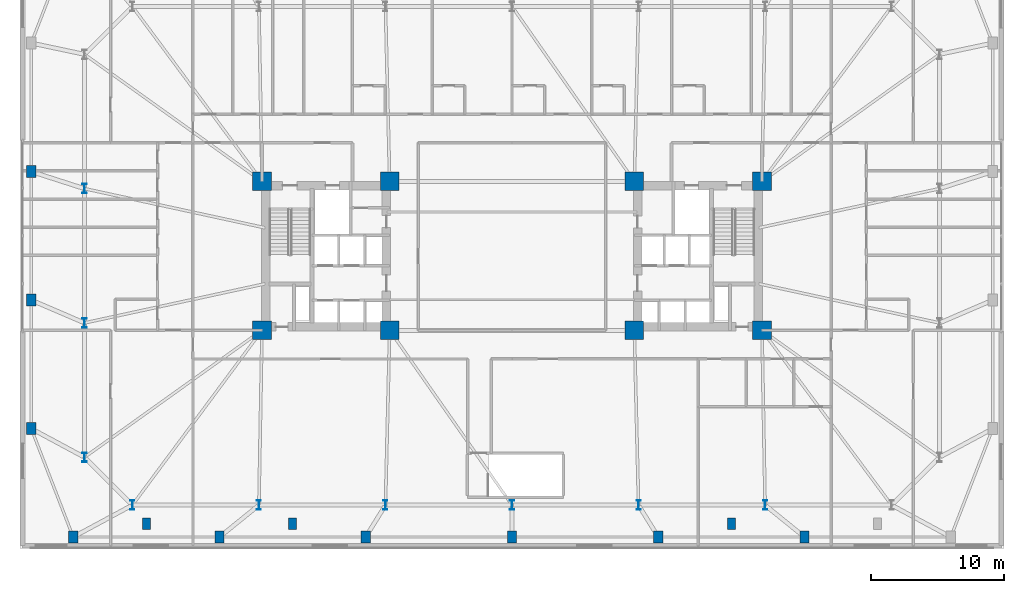
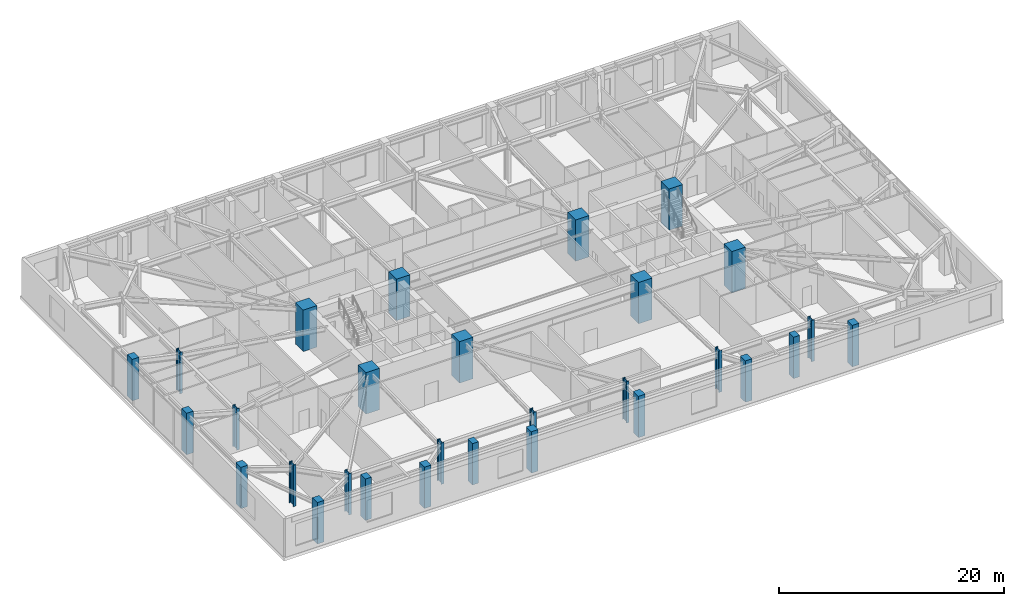
# One storey, part 1 of 21: 29 columns.
"""IFC4 building model written with IfcOpenShell, lengths in metres."""

from ifc_helpers import new_model, si_unit, direction, frame, origin, origin_2d, place, context, subcontext, project, spatial, rectangle, i_section, extrude, material, material_profile, profile_set, type_object, element, save


model = new_model("IFC4")

# Units and contexts
model_context = context("Model", 3, precision=1e-05, world=origin(), true_north=direction((0.0, 1.0)))
body_context = subcontext(model_context, "Body", "Model", "MODEL_VIEW")
ifc_project = project(units=[si_unit("LENGTHUNIT", "METRE"), si_unit("AREAUNIT", "SQUARE_METRE"), si_unit("VOLUMEUNIT", "CUBIC_METRE"), si_unit("PLANEANGLEUNIT", "RADIAN"), si_unit("MASSUNIT", "GRAM", prefix="KILO")], contexts=[model_context])

# Site, building, storey
site_placement = place(None, origin())
site = spatial("IfcSite", under=ifc_project, at=site_placement, CompositionType="ELEMENT")
building_placement = place(site_placement, origin())
building = spatial("IfcBuilding", under=site, at=building_placement, Name="Qobustan Lattice House", CompositionType="ELEMENT")
storey_placement = place(building_placement, frame((0.0, 0.0, 22.5)))
storey = spatial("IfcBuildingStorey", under=building, at=storey_placement, Name="L05", CompositionType="ELEMENT", Elevation=22.5)

# Columns
ifc_material_1 = material(Name="Concrete C50/60", Category="concrete")
ifc_material_profile_1 = material_profile(ifc_material_1, rectangle(XDim=0.60009765625, YDim=0.85009765625, at=origin_2d()), Name="RC600x850")
ifc_profile_set_1 = profile_set([ifc_material_profile_1], Name="Concrete C50/60")
column_type_1 = type_object("IfcColumnType", Name="COL-PIL-600x850", PredefinedType="PILASTER", material=ifc_profile_set_1)
for number, where, z_axis, x_axis, name in (
    (1, (-27.5, -20.14990234375, 0.0), (0.0, 0.0, 1.0), (1.0, 0.0, 0.0), "L05 colonnade pilaster S1"),
    (2, (-16.5, -20.14990234375, 0.0), (0.0, 0.0, 1.0), (1.0, 0.0, 0.0), "L05 colonnade pilaster S2"),
    (3, (16.5, -20.14990234375, 0.0), (0.0, 0.0, 1.0), (1.0, 0.0, 0.0), "L05 colonnade pilaster S3"),
):
    element("IfcColumn", number, at=place(storey_placement, frame(where, z_axis=z_axis, x_axis=x_axis)), inside=storey, type_object=column_type_1, Name=name, PredefinedType="PILASTER", context=body_context, shape_type="SweptSolid", body=[
        extrude(rectangle(XDim=0.60009765625, YDim=0.85009765625, at=origin_2d()), origin(), (0.0, 0.0, 1.0), 4.5),
    ])
ifc_material_2 = material(Name="Concrete C60/75", Category="concrete")
ifc_material_profile_2 = material_profile(ifc_material_2, rectangle(XDim=1.39990234375, YDim=1.39990234375, at=origin_2d()), Name="RC1400x1400")
ifc_profile_set_2 = profile_set([ifc_material_profile_2], Name="Concrete C60/75")
column_type_2 = type_object("IfcColumnType", Name="COL-RC-1400", PredefinedType="COLUMN", material=ifc_profile_set_2)
for number, where, z_axis, x_axis, name in (
    (4, (-18.800048828125, -5.60009765625, 0.0), (0.0, 0.0, 1.0), (1.0, 0.0, 0.0), "L05 core mega-column CW-SW"),
    (5, (-18.800048828125, 5.60009765625, 0.0), (0.0, 0.0, 1.0), (1.0, 0.0, 0.0), "L05 core mega-column CW-NW"),
    (6, (-9.199951171875, -5.60009765625, 0.0), (0.0, 0.0, 1.0), (1.0, 0.0, 0.0), "L05 core mega-column CW-SE"),
    (7, (-9.199951171875, 5.60009765625, 0.0), (0.0, 0.0, 1.0), (1.0, 0.0, 0.0), "L05 core mega-column CW-NE"),
    (8, (9.199951171875, -5.60009765625, 0.0), (0.0, 0.0, 1.0), (1.0, 0.0, 0.0), "L05 core mega-column CE-SW"),
    (9, (9.199951171875, 5.60009765625, 0.0), (0.0, 0.0, 1.0), (1.0, 0.0, 0.0), "L05 core mega-column CE-NW"),
    (10, (18.800048828125, -5.60009765625, 0.0), (0.0, 0.0, 1.0), (1.0, 0.0, 0.0), "L05 core mega-column CE-SE"),
    (11, (18.800048828125, 5.60009765625, 0.0), (0.0, 0.0, 1.0), (1.0, 0.0, 0.0), "L05 core mega-column CE-NE"),
):
    element("IfcColumn", number, at=place(storey_placement, frame(where, z_axis=z_axis, x_axis=x_axis)), inside=storey, type_object=column_type_2, Name=name, PredefinedType="COLUMN", context=body_context, shape_type="SweptSolid", body=[
        extrude(rectangle(XDim=1.39990234375, YDim=1.39990234375, at=origin_2d()), origin(), (0.0, 0.0, 1.0), 4.5),
    ])
ifc_material_3 = material(Name="Concrete C50/60", Category="concrete")
ifc_material_profile_3 = material_profile(ifc_material_3, rectangle(XDim=0.699951171875, YDim=0.89990234375, at=origin_2d()), Name="RC700x900")
ifc_profile_set_3 = profile_set([ifc_material_profile_3], Name="Concrete C50/60")
column_type_3 = type_object("IfcColumnType", Name="COL-RC-700x900", PredefinedType="COLUMN", material=ifc_profile_set_3)
for number, where, z_axis, x_axis, name in (
    (12, (-33.0, -21.14990234375, 0.0), (0.0, 0.0, 1.0), (1.0, 0.0, 0.0), "L05 podium column PS1"),
    (13, (-22.0, -21.14990234375, 0.0), (0.0, 0.0, 1.0), (1.0, 0.0, 0.0), "L05 podium column PS2"),
    (14, (-11.0, -21.14990234375, 0.0), (0.0, 0.0, 1.0), (1.0, 0.0, 0.0), "L05 podium column PS3"),
    (15, (0.0, -21.14990234375, 0.0), (0.0, 0.0, 1.0), (1.0, 0.0, 0.0), "L05 podium column PS4"),
    (16, (11.0, -21.14990234375, 0.0), (0.0, 0.0, 1.0), (1.0, 0.0, 0.0), "L05 podium column PS5"),
    (17, (22.0, -21.14990234375, 0.0), (0.0, 0.0, 1.0), (1.0, 0.0, 0.0), "L05 podium column PS6"),
    (18, (-36.14990234375, -13.0, 0.0), (0.0, 0.0, 1.0), (1.0, 0.0, 0.0), "L05 podium column PW1"),
    (19, (-36.14990234375, -3.333251953125, 0.0), (0.0, 0.0, 1.0), (1.0, 0.0, 0.0), "L05 podium column PW2"),
    (20, (-36.14990234375, 6.33349609375, 0.0), (0.0, 0.0, 1.0), (1.0, 0.0, 0.0), "L05 podium column PW3"),
):
    element("IfcColumn", number, at=place(storey_placement, frame(where, z_axis=z_axis, x_axis=x_axis)), inside=storey, type_object=column_type_3, Name=name, PredefinedType="COLUMN", context=body_context, shape_type="SweptSolid", body=[
        extrude(rectangle(XDim=0.699951171875, YDim=0.89990234375, at=origin_2d()), origin(), (0.0, 0.0, 1.0), 4.5),
    ])
ifc_material_4 = material(Name="Steel S460", Category="steel")
ifc_material_profile_4 = material_profile(ifc_material_4, i_section(OverallWidth=0.303955078125, OverallDepth=0.716064453125, WebThickness=0.02099609375, FlangeThickness=0.0400390625, FilletRadius=0.027099609375, at=origin_2d()), Name="HEM700")
ifc_profile_set_4 = profile_set([ifc_material_profile_4], Name="Steel S460")
column_type_4 = type_object("IfcColumnType", Name="COL-ST-HEM700", PredefinedType="COLUMN", material=ifc_profile_set_4)
for number, where, z_axis, x_axis, name in (
    (21, (-28.550048828125, -18.75, 0.0), (0.0, 0.0, 1.0), (1.0, 0.0, 0.0), "L05 tower base column S1"),
    (22, (-19.033203125, -18.75, 0.0), (0.0, 0.0, 1.0), (1.0, 0.0, 0.0), "L05 tower base column S2"),
    (23, (-9.5166015625, -18.75, 0.0), (0.0, 0.0, 1.0), (1.0, 0.0, 0.0), "L05 tower base column S3"),
    (24, (0.0, -18.75, 0.0), (0.0, 0.0, 1.0), (1.0, 0.0, 0.0), "L05 tower base column S4"),
    (25, (9.5166015625, -18.75, 0.0), (0.0, 0.0, 1.0), (1.0, 0.0, 0.0), "L05 tower base column S5"),
    (26, (19.033203125, -18.75, 0.0), (0.0, 0.0, 1.0), (1.0, 0.0, 0.0), "L05 tower base column S6"),
    (27, (-32.14990234375, 5.050048828125, 0.0), (0.0, 0.0, 1.0), (1.0, 0.0, 0.0), "L05 tower base column W2"),
    (28, (-32.14990234375, -5.050048828125, 0.0), (0.0, 0.0, 1.0), (1.0, 0.0, 0.0), "L05 tower base column W3"),
    (29, (-32.14990234375, -15.14990234375, 0.0), (0.0, 0.0, 1.0), (1.0, 0.0, 0.0), "L05 tower base column W4"),
):
    element("IfcColumn", number, at=place(storey_placement, frame(where, z_axis=z_axis, x_axis=x_axis)), inside=storey, type_object=column_type_4, Name=name, PredefinedType="COLUMN", context=body_context, shape_type="SweptSolid", body=[
        extrude(i_section(OverallWidth=0.303955078125, OverallDepth=0.716064453125, WebThickness=0.02099609375, FlangeThickness=0.0400390625, FilletRadius=0.027099609375, at=origin_2d()), origin(), (0.0, 0.0, 1.0), 4.5),
    ])

save(model, "model.ifc")
